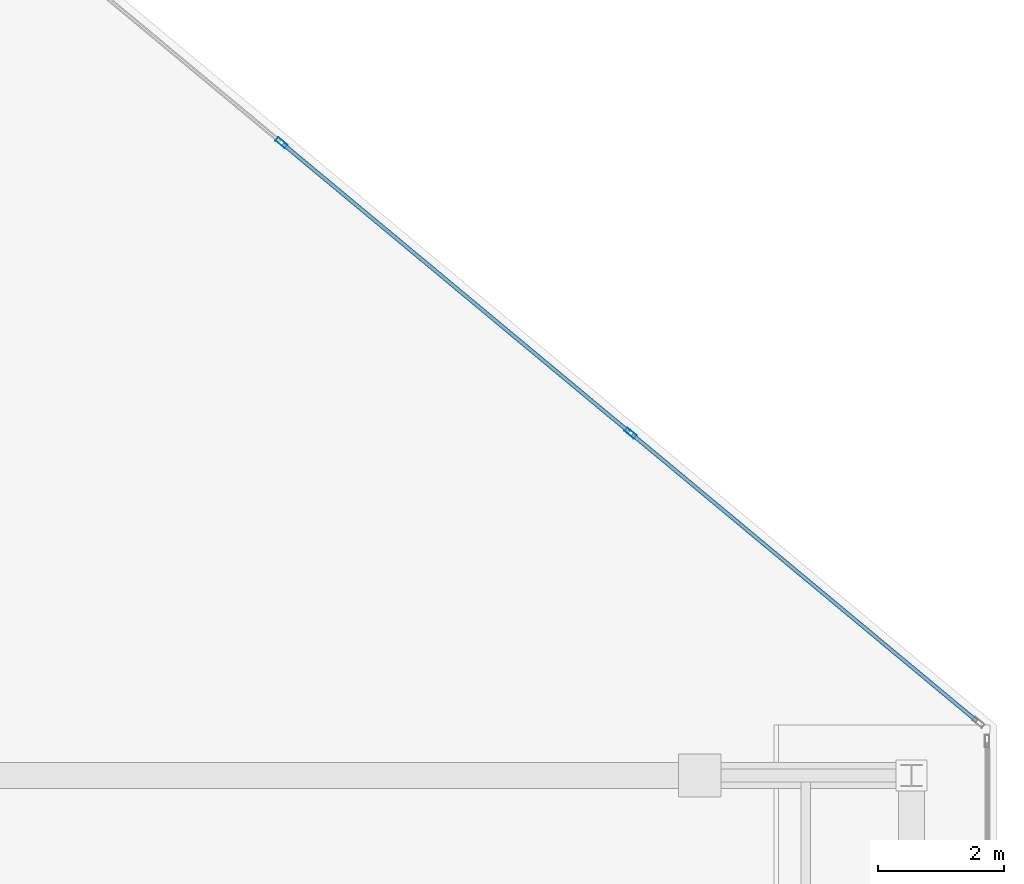
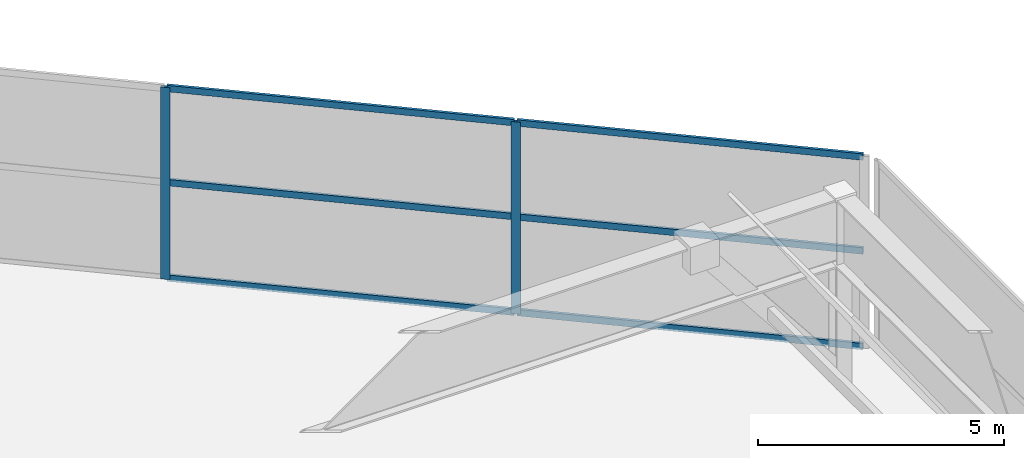
# One storey, part 11 of 21: 8 members, 1 element without a shape of its own.
"""IFC4 building model written with IfcOpenShell, lengths in metres."""

from ifc_helpers import new_model, si_unit, direction, frame, origin, origin_2d, place, context, subcontext, project, spatial, hollow_rectangle, extrude, material, layer, layer_set, material_profile, profile_set, type_object, element, aggregate, save


model = new_model("IFC4")

# Units and contexts
model_context = context("Model", 3, precision=1e-05, world=origin(), true_north=direction((0.0, 1.0)))
body_context = subcontext(model_context, "Body", "Model", "MODEL_VIEW")
ifc_project = project(units=[si_unit("LENGTHUNIT", "METRE"), si_unit("AREAUNIT", "SQUARE_METRE"), si_unit("VOLUMEUNIT", "CUBIC_METRE"), si_unit("PLANEANGLEUNIT", "RADIAN"), si_unit("MASSUNIT", "GRAM", prefix="KILO")], contexts=[model_context])

# Site, building, storey
site_placement = place(None, origin())
site = spatial("IfcSite", under=ifc_project, at=site_placement, CompositionType="ELEMENT")
building_placement = place(site_placement, origin())
building = spatial("IfcBuilding", under=site, at=building_placement, Name="Calvorn Quay Hotel", CompositionType="ELEMENT")
storey_placement = place(building_placement, frame((0.0, 0.0, 320.5)))
storey = spatial("IfcBuildingStorey", under=building, at=storey_placement, Name="L79", CompositionType="ELEMENT", Elevation=320.5)

# Curtain wall, members
ifc_material_1 = material(Name="Pale Anodised Aluminium and Laminated Glass", Category="aluminium")
ifc_layer = layer(ifc_material_1, 0.219970703125)
ifc_layer_set = layer_set([ifc_layer], Name="CW-SYS-CRN")
curtain_wall_type = type_object("IfcCurtainWallType", Name="CW-SYS-CRN", PredefinedType="NOTDEFINED", material=ifc_layer_set)
curtain_wall_placement = place(storey_placement, origin())
curtain_wall = element("IfcCurtainWall", 1, at=curtain_wall_placement, inside=storey, type_object=curtain_wall_type, Name="Crown Curtain Wall L79-C3", PredefinedType="NOTDEFINED")
ifc_material_2 = material(Name="Pale Anodised Aluminium 6063-T6", Category="aluminium")
ifc_material_profile_1 = material_profile(ifc_material_2, hollow_rectangle(XDim=0.072021484375, YDim=0.195068359375, WallThickness=0.00390625, at=origin_2d()), Name="ALU-M195x72x4")
ifc_profile_set_1 = profile_set([ifc_material_profile_1], Name="Pale Anodised Aluminium 6063-T6")
member_type_1 = type_object("IfcMemberType", Name="CW-SYS-CRN-MUL", PredefinedType="MULLION", material=ifc_profile_set_1)
member_1_placement = place(storey_placement, frame((29.018310546875, 29.041259765625, 0.0), z_axis=(0.0, 0.0, 1.0), x_axis=(-0.639416422391, -0.768860610759, 0.0)))
member_1 = element("IfcMember", 2, at=member_1_placement, type_object=member_type_1, Name="CW-L79-C3 mullion 2", PredefinedType="MULLION", context=body_context, shape_type="SweptSolid", body=[
    extrude(hollow_rectangle(XDim=0.072021484375, YDim=0.195068359375, WallThickness=0.00390625, at=origin_2d()), origin(), (0.0, 0.0, 1.0), 4.760009765625),
])
member_2_placement = place(storey_placement, frame((23.46875, 33.65673828125, 0.0), z_axis=(0.0, 0.0, 1.0), x_axis=(-0.639416422391, -0.768860610759, 0.0)))
member_2 = element("IfcMember", 3, at=member_2_placement, type_object=member_type_1, Name="CW-L79-C3 mullion 3", PredefinedType="MULLION", context=body_context, shape_type="SweptSolid", body=[
    extrude(hollow_rectangle(XDim=0.072021484375, YDim=0.195068359375, WallThickness=0.00390625, at=origin_2d()), origin(), (0.0, 0.0, 1.0), 4.760009765625),
])
ifc_material_3 = material(Name="Pale Anodised Aluminium 6063-T6", Category="aluminium")
ifc_material_profile_2 = material_profile(ifc_material_3, hollow_rectangle(XDim=0.06201171875, YDim=0.159912109375, WallThickness=0.00341796875, at=origin_2d()), Name="ALU-T160x62x3.5")
ifc_profile_set_2 = profile_set([ifc_material_profile_2], Name="Pale Anodised Aluminium 6063-T6")
member_type_2 = type_object("IfcMemberType", Name="CW-SYS-CRN-TRN", PredefinedType="USERDEFINED", material=ifc_profile_set_2)
member_3_placement = place(storey_placement, frame((34.52197265625, 24.46435546875, 0.030029296875), z_axis=(-0.768855378909, 0.639422713331, 0.0), x_axis=(-0.639422713331, -0.768855378909, 0.0)))
member_3 = element("IfcMember", 4, at=member_3_placement, type_object=member_type_2, Name="CW-L79-C3 transom 1.1", ObjectType="TRANSOM", PredefinedType="USERDEFINED", context=body_context, shape_type="SweptSolid", body=[
    extrude(hollow_rectangle(XDim=0.06201171875, YDim=0.159912109375, WallThickness=0.00341796875, at=origin_2d()), origin(), (0.0, 0.0, 1.0), 7.128173828125),
])
member_4_placement = place(storey_placement, frame((34.52197265625, 24.46435546875, 2.39990234375), z_axis=(-0.768855378909, 0.639422713331, 0.0), x_axis=(-0.639422713331, -0.768855378909, 0.0)))
member_4 = element("IfcMember", 5, at=member_4_placement, type_object=member_type_2, Name="CW-L79-C3 transom 1.2", ObjectType="TRANSOM", PredefinedType="USERDEFINED", context=body_context, shape_type="SweptSolid", body=[
    extrude(hollow_rectangle(XDim=0.06201171875, YDim=0.159912109375, WallThickness=0.00341796875, at=origin_2d()), origin(), (0.0, 0.0, 1.0), 7.128173828125),
])
member_5_placement = place(storey_placement, frame((34.52197265625, 24.46435546875, 4.72998046875), z_axis=(-0.768855378909, 0.639422713331, 0.0), x_axis=(-0.639422713331, -0.768855378909, 0.0)))
member_5 = element("IfcMember", 6, at=member_5_placement, type_object=member_type_2, Name="CW-L79-C3 transom 1.3", ObjectType="TRANSOM", PredefinedType="USERDEFINED", context=body_context, shape_type="SweptSolid", body=[
    extrude(hollow_rectangle(XDim=0.06201171875, YDim=0.159912109375, WallThickness=0.00341796875, at=origin_2d()), origin(), (0.0, 0.0, 1.0), 7.128173828125),
])
member_6_placement = place(storey_placement, frame((28.995361328125, 29.060546875, 0.030029296875), z_axis=(-0.768872268161, 0.639402404791, 0.0), x_axis=(-0.639402404791, -0.768872268161, 0.0)))
member_6 = element("IfcMember", 7, at=member_6_placement, type_object=member_type_2, Name="CW-L79-C3 transom 2.1", ObjectType="TRANSOM", PredefinedType="USERDEFINED", context=body_context, shape_type="SweptSolid", body=[
    extrude(hollow_rectangle(XDim=0.06201171875, YDim=0.159912109375, WallThickness=0.00341796875, at=origin_2d()), origin(), (0.0, 0.0, 1.0), 7.158203125),
])
member_7_placement = place(storey_placement, frame((28.995361328125, 29.060546875, 2.39990234375), z_axis=(-0.768872268161, 0.639402404791, 0.0), x_axis=(-0.639402404791, -0.768872268161, 0.0)))
member_7 = element("IfcMember", 8, at=member_7_placement, type_object=member_type_2, Name="CW-L79-C3 transom 2.2", ObjectType="TRANSOM", PredefinedType="USERDEFINED", context=body_context, shape_type="SweptSolid", body=[
    extrude(hollow_rectangle(XDim=0.06201171875, YDim=0.159912109375, WallThickness=0.00341796875, at=origin_2d()), origin(), (0.0, 0.0, 1.0), 7.158203125),
])
member_8_placement = place(storey_placement, frame((28.995361328125, 29.060546875, 4.72998046875), z_axis=(-0.768872268161, 0.639402404791, 0.0), x_axis=(-0.639402404791, -0.768872268161, 0.0)))
member_8 = element("IfcMember", 9, at=member_8_placement, type_object=member_type_2, Name="CW-L79-C3 transom 2.3", ObjectType="TRANSOM", PredefinedType="USERDEFINED", context=body_context, shape_type="SweptSolid", body=[
    extrude(hollow_rectangle(XDim=0.06201171875, YDim=0.159912109375, WallThickness=0.00341796875, at=origin_2d()), origin(), (0.0, 0.0, 1.0), 7.158203125),
])
aggregate(curtain_wall, [member_1, member_2, member_3, member_4, member_5, member_6, member_7, member_8])

save(model, "model.ifc")
